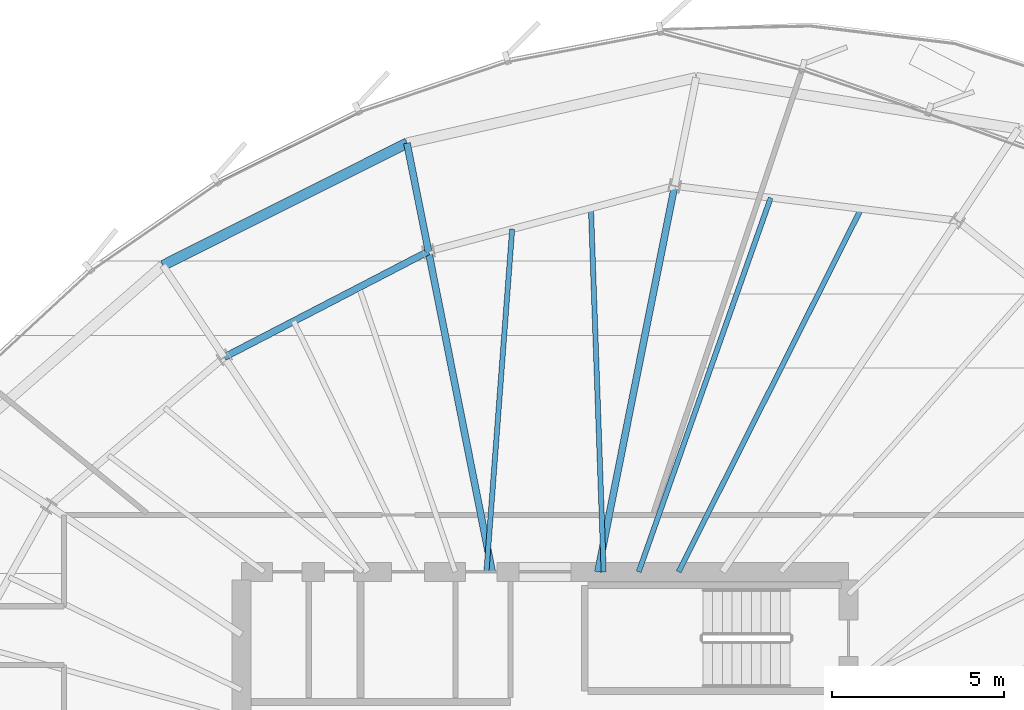
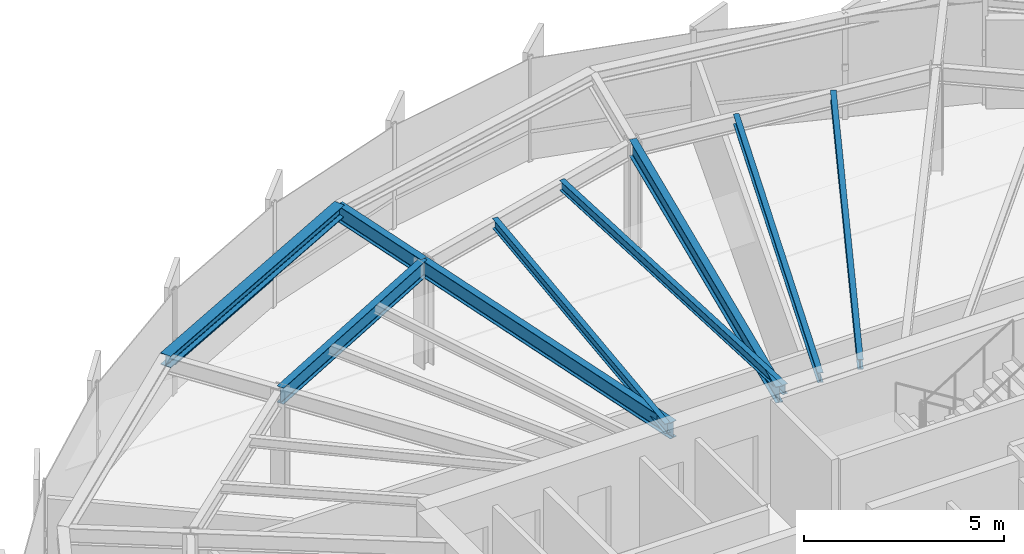
# One storey, part 22 of 34: 9 beams, 1 member, 1 element without a shape of its own.
"""IFC4 building model written with IfcOpenShell, lengths in metres."""

import ifcopenshell
import ifcopenshell.guid

model = None  # the IFC model being written
_history = None  # IfcOwnerHistory: only IFC2X3 demands one
_inside = {}  # id of a spatial element -> (the spatial element, [elements in it])
_under = {}  # id of a project, library or spatial element -> (it, [spatial elements below it])
_declared = {}  # id of a project -> (the project, [libraries it declares])
_typed = {}  # id of a type object -> (the type object, [elements of that type])
_made_of = {}  # id of a material, layer set ... -> (it, [elements and type objects made of it])


def new_model(schema):
    """Start an empty IFC model of exactly this schema.

    Asked for "IFC4X3", IfcOpenShell would pick the latest addendum, in which some entities
    have other attributes; the version numbers below select the first issue.
    IFC2X3 requires an IfcOwnerHistory on every rooted entity: one is made here for all.
    """
    global model, _history
    if schema == "IFC4X3":
        model = ifcopenshell.file(schema_version=(4, 3, 0, 0))
    else:
        model = ifcopenshell.file(schema=schema)
    _inside.clear()
    _under.clear()
    _declared.clear()
    _typed.clear()
    _made_of.clear()
    _history = None
    if model.schema == "IFC2X3":
        org = make("IfcOrganization", Name="unknown")
        user = make(
            "IfcPersonAndOrganization",
            ThePerson=make("IfcPerson", FamilyName="unknown"),
            TheOrganization=org,
        )
        app = make(
            "IfcApplication",
            ApplicationDeveloper=org,
            Version="unknown",
            ApplicationFullName="unknown",
            ApplicationIdentifier="unknown",
        )
        _history = make(
            "IfcOwnerHistory",
            OwningUser=user,
            OwningApplication=app,
            ChangeAction="ADDED",
            CreationDate=0,
        )
    return model


def make(cls, **values):
    """One entity of the class cls with the attributes given. An attribute that is None is left unset."""
    return model.create_entity(
        cls, **{name: value for name, value in values.items() if value is not None}
    )


def rooted(cls, **values):
    """An entity with a GlobalId (a new one), such as an element, a storey or a relation."""
    return make(cls, GlobalId=ifcopenshell.guid.new(), OwnerHistory=_history, **values)


def si_unit(unit_type, name, prefix=None):
    """IfcSIUnit, for example si_unit("LENGTHUNIT", "METRE", prefix="MILLI")."""
    return make("IfcSIUnit", UnitType=unit_type, Prefix=prefix, Name=name)


def assignment(units):
    """IfcUnitAssignment: the units of a project."""
    return None if units is None else make("IfcUnitAssignment", Units=units)


def point(xyz):
    """IfcCartesianPoint."""
    return None if xyz is None else make("IfcCartesianPoint", Coordinates=xyz)


def direction(xyz):
    """IfcDirection."""
    return None if xyz is None else make("IfcDirection", DirectionRatios=xyz)


def frame(location, z_axis=None, x_axis=None):
    """IfcAxis2Placement3D, a coordinate frame: its origin and axes. An axis left out is left unset."""
    return make(
        "IfcAxis2Placement3D",
        Location=point(location),
        Axis=direction(z_axis),
        RefDirection=direction(x_axis),
    )


def frame_2d(location, x_axis=None):
    """IfcAxis2Placement2D, a coordinate frame in the plane: its origin and x axis."""
    return make(
        "IfcAxis2Placement2D", Location=point(location), RefDirection=direction(x_axis)
    )


def origin():
    """The frame at (0, 0, 0) with its axes left unset."""
    return frame((0.0, 0.0, 0.0))


def origin_2d():
    """The frame at (0, 0) in the plane with its x axis left unset."""
    return frame_2d((0.0, 0.0))


def place(relative_to, where):
    """IfcLocalPlacement: puts the frame where relative to a parent placement (None: the world)."""
    return make(
        "IfcLocalPlacement", PlacementRelTo=relative_to, RelativePlacement=where
    )


def context(
    kind, dimensions, precision=None, world=None, true_north=None, identifier=None
):
    """IfcGeometricRepresentationContext, for example the 3D "Model" context."""
    return make(
        "IfcGeometricRepresentationContext",
        ContextIdentifier=identifier,
        ContextType=kind,
        CoordinateSpaceDimension=dimensions,
        Precision=precision,
        WorldCoordinateSystem=world,
        TrueNorth=true_north,
    )


def subcontext(parent, identifier, kind, view, scale=None):
    """IfcGeometricRepresentationSubContext, for example "Body" below "Model"."""
    return make(
        "IfcGeometricRepresentationSubContext",
        ContextIdentifier=identifier,
        ContextType=kind,
        ParentContext=parent,
        TargetScale=scale,
        TargetView=view,
    )


def project(units=None, contexts=None):
    """IfcProject with its units and contexts."""
    return rooted(
        "IfcProject",
        Name="project",
        RepresentationContexts=contexts,
        UnitsInContext=assignment(units),
    )


def spatial(cls, under=None, at=None, **own):
    """A site, building, storey or space (cls), placed at a placement, below another one or the project."""
    s = rooted(cls, ObjectPlacement=at, **own)
    if under is not None:
        _under.setdefault(under.id(), (under, []))[1].append(s)
    return s


def profile(cls, at=None, kind="AREA", **sizes):
    """A parametric profile (cls). Its sizes go by their IFC names, for example OverallWidth=200.0."""
    return make(cls, ProfileType=kind, Position=at, **sizes)


def hollow_rectangle(**sizes):
    """IfcRectangleHollowProfileDef."""
    return profile("IfcRectangleHollowProfileDef", **sizes)


def i_section(**sizes):
    """IfcIShapeProfileDef."""
    return profile("IfcIShapeProfileDef", **sizes)


def extrude(swept, where, along, depth):
    """IfcExtrudedAreaSolid: the profile swept, set in the frame where, extruded along a direction by depth."""
    return make(
        "IfcExtrudedAreaSolid",
        SweptArea=swept,
        Position=where,
        ExtrudedDirection=direction(along),
        Depth=depth,
    )


def shape(context_of_items, identifier, shape_type, items):
    """IfcShapeRepresentation: the items that make up one representation, for example the "Body"."""
    return make(
        "IfcShapeRepresentation",
        ContextOfItems=context_of_items,
        RepresentationIdentifier=identifier,
        RepresentationType=shape_type,
        Items=items,
    )


def source(mapping_origin, context_of_items, identifier, shape_type, items):
    """IfcRepresentationMap: a shape defined once, which mapped items show again and again."""
    return make(
        "IfcRepresentationMap",
        MappingOrigin=mapping_origin,
        MappedRepresentation=shape(context_of_items, identifier, shape_type, items),
    )


def transform(
    local_origin,
    x_axis=None,
    y_axis=None,
    z_axis=None,
    scale=None,
    scale2=None,
    scale3=None,
    uniform=True,
):
    """IfcCartesianTransformationOperator3D, or its non-uniform kind. x_axis, y_axis, z_axis: its Axis1, 2, 3."""
    if uniform:
        return make(
            "IfcCartesianTransformationOperator3D",
            Axis1=direction(x_axis),
            Axis2=direction(y_axis),
            LocalOrigin=point(local_origin),
            Scale=scale,
            Axis3=direction(z_axis),
        )
    return make(
        "IfcCartesianTransformationOperator3DnonUniform",
        Axis1=direction(x_axis),
        Axis2=direction(y_axis),
        LocalOrigin=point(local_origin),
        Scale=scale,
        Axis3=direction(z_axis),
        Scale2=scale2,
        Scale3=scale3,
    )


def mapped(mapping_source, mapping_target):
    """IfcMappedItem: shows the shape of a source again, moved by a transform."""
    return make(
        "IfcMappedItem", MappingSource=mapping_source, MappingTarget=mapping_target
    )


def material(Name=None, Category=None):
    """IfcMaterial."""
    return make("IfcMaterial", Name=Name, Category=Category)


def layer(
    of_material, thickness, ventilated=None, Name=None, Category=None, Priority=None
):
    """IfcMaterialLayer: one layer of a wall or slab, of a material (None: an air gap)."""
    return make(
        "IfcMaterialLayer",
        Material=of_material,
        LayerThickness=thickness,
        IsVentilated=ventilated,
        Name=Name,
        Category=Category,
        Priority=Priority,
    )


def layer_set(layers, Name=None):
    """IfcMaterialLayerSet."""
    return make("IfcMaterialLayerSet", MaterialLayers=layers, LayerSetName=Name)


def material_profile(
    of_material, cross_section, Name=None, Category=None, Priority=None
):
    """IfcMaterialProfile: a cross section and its material."""
    return make(
        "IfcMaterialProfile",
        Name=Name,
        Material=of_material,
        Profile=cross_section,
        Priority=Priority,
        Category=Category,
    )


def profile_set(profiles, Name=None, composite=None):
    """IfcMaterialProfileSet."""
    return make(
        "IfcMaterialProfileSet",
        Name=Name,
        MaterialProfiles=profiles,
        CompositeProfile=composite,
    )


def made_of(thing, what):
    """Note that an element or type object is made of a material, layer set ...; save() writes the relation."""
    if what is not None:
        _made_of.setdefault(what.id(), (what, []))[1].append(thing)
    return thing


def type_object(cls, material=None, **own):
    """A type object (cls), such as IfcWallType, which elements share."""
    return made_of(rooted(cls, **own), material)


def element(
    cls,
    number,
    at=None,
    inside=None,
    cuts=None,
    type_object=None,
    material=None,
    context=None,
    identifier="Body",
    shape_type=None,
    held_by="IfcProductDefinitionShape",
    body=None,
    shapes=None,
    **own,
):
    """One element of the class cls, such as IfcWall. Its Tag is "e" and its number.

    at: its placement. inside: the storey or other place that contains it. cuts: it is an
    opening in that element (IfcRelVoidsElement). A single representation is given by context,
    identifier, shape_type and body (its items); several are given by shapes. held_by: the class
    of the entity that holds the representations. save() writes the other relations.
    """
    e = rooted(cls, Tag="e%d" % number, ObjectPlacement=at, **own)
    if body is not None:
        shapes = [shape(context, identifier, shape_type, body)]
    if shapes is not None:
        e.Representation = make(held_by, Representations=shapes)
    if inside is not None:
        _inside.setdefault(inside.id(), (inside, []))[1].append(e)
    if cuts is not None:
        rooted(
            "IfcRelVoidsElement", RelatingBuildingElement=cuts, RelatedOpeningElement=e
        )
    if type_object is not None:
        _typed.setdefault(type_object.id(), (type_object, []))[1].append(e)
    return made_of(e, material)


def aggregate(whole, parts):
    """IfcRelAggregates: a whole, such as a stair, and the parts it consists of."""
    return rooted("IfcRelAggregates", RelatingObject=whole, RelatedObjects=parts)


def save(model, path):
    """Write the relations noted so far, then the file.

    IfcRelAggregates (storeys below a building ...), IfcRelContainedInSpatialStructure (elements
    in a storey), IfcRelDefinesByType, IfcRelAssociatesMaterial and IfcRelDeclares: one each for
    every whole, place, type object, material and project.
    """
    for whole, parts in _under.values():
        aggregate(whole, parts)
    for where, things in _inside.values():
        rooted(
            "IfcRelContainedInSpatialStructure",
            RelatedElements=things,
            RelatingStructure=where,
        )
    for kind, things in _typed.values():
        rooted("IfcRelDefinesByType", RelatedObjects=things, RelatingType=kind)
    for what, things in _made_of.values():
        rooted("IfcRelAssociatesMaterial", RelatedObjects=things, RelatingMaterial=what)
    for by, libraries in _declared.values():
        rooted("IfcRelDeclares", RelatingContext=by, RelatedDefinitions=libraries)
    model.write(path)


model = new_model("IFC4")

# Units and contexts
model_context = context("Model", 3, precision=1e-05, world=origin(), true_north=direction((0.0, 1.0)))
body_context = subcontext(model_context, "Body", "Model", "MODEL_VIEW")
ifc_project = project(units=[si_unit("LENGTHUNIT", "METRE"), si_unit("AREAUNIT", "SQUARE_METRE"), si_unit("VOLUMEUNIT", "CUBIC_METRE"), si_unit("PLANEANGLEUNIT", "RADIAN"), si_unit("MASSUNIT", "GRAM", prefix="KILO"), si_unit("THERMODYNAMICTEMPERATUREUNIT", "KELVIN")], contexts=[model_context])

# Site, building, storey
site_placement = place(None, origin())
site = spatial("IfcSite", under=ifc_project, at=site_placement, CompositionType="ELEMENT")
building_placement = place(site_placement, origin())
building = spatial("IfcBuilding", under=site, at=building_placement, Name="Kethvar Cultural Tower", CompositionType="ELEMENT")
storey_placement = place(building_placement, frame((0.0, 0.0, 190.39990234375)))
storey = spatial("IfcBuildingStorey", under=building, at=storey_placement, Name="L49", CompositionType="ELEMENT", Elevation=190.39990234375)

# Beams
ifc_material_1 = material(Name="Steel S355J2", Category="steel")
ifc_material_profile_1 = material_profile(ifc_material_1, i_section(OverallWidth=0.199951171875, OverallDepth=0.5, WebThickness=0.01025390625, FlangeThickness=0.01611328125, FilletRadius=0.02099609375, at=origin_2d()), Name="Steel S355J2 — IPE500")
ifc_profile_set_1 = profile_set([ifc_material_profile_1], Name="Steel S355J2 — IPE500")
beam_type_1 = type_object("IfcBeamType", Name="BM-IPE500", PredefinedType="BEAM", material=ifc_profile_set_1)
shared_shape_1 = source(origin(), body_context, "Body", "SweptSolid", [
    extrude(i_section(OverallWidth=0.199951171875, OverallDepth=0.5, WebThickness=0.01025390625, FlangeThickness=0.01611328125, FilletRadius=0.02099609375, at=origin_2d()), origin(), (0.0, 0.0, 1.0), 3.199951171875),
])
beam_1_placement = place(storey_placement, frame((43.420654296875, 44.789306640625, 3.008056640625), z_axis=(-0.195088965533, 0.980785550224, 0.0), x_axis=(-0.980785550224, -0.195088965533, 0.0)))
element("IfcBeam", 1, at=beam_1_placement, inside=storey, type_object=beam_type_1, Name="L49 Perimeter Cantilever Beam RC-05", PredefinedType="BEAM", context=body_context, shape_type="MappedRepresentation", body=[
    mapped(shared_shape_1, transform((0.0, 0.0, 0.0), scale=1.0)),
])
shared_shape_2 = source(origin(), body_context, "Body", "SweptSolid", [
    extrude(i_section(OverallWidth=0.199951171875, OverallDepth=0.5, WebThickness=0.01025390625, FlangeThickness=0.01611328125, FilletRadius=0.02099609375, at=origin_2d()), origin(), (0.0, 0.0, 1.0), 11.40673828125),
])
beam_2_placement = place(storey_placement, frame((48.33154296875, 35.5, 3.008056640625), z_axis=(0.195091138918, 0.980785117911, 0.0), x_axis=(-0.980785117911, 0.195091138918, 0.0)))
element("IfcBeam", 2, at=beam_2_placement, inside=storey, type_object=beam_type_1, Name="L49 Primary Radial Beam RB-04", PredefinedType="BEAM", context=body_context, shape_type="MappedRepresentation", body=[
    mapped(shared_shape_2, transform((0.0, 0.0, 0.0), scale=1.0)),
])
shared_shape_3 = source(origin(), body_context, "Body", "SweptSolid", [
    extrude(i_section(OverallWidth=0.199951171875, OverallDepth=0.5, WebThickness=0.01025390625, FlangeThickness=0.01611328125, FilletRadius=0.02099609375, at=origin_2d()), origin(), (0.0, 0.0, 1.0), 9.47119140625),
])
beam_3_placement = place(storey_placement, frame((45.268310546875, 35.5, 3.008056640625), z_axis=(-0.195079990396, 0.980787335434, 0.0), x_axis=(-0.980787335434, -0.195079990396, 0.0)))
element("IfcBeam", 3, at=beam_3_placement, inside=storey, type_object=beam_type_1, Name="L49 Primary Radial Beam RB-05", PredefinedType="BEAM", context=body_context, shape_type="MappedRepresentation", body=[
    mapped(shared_shape_3, transform((0.0, 0.0, 0.0), scale=1.0)),
])
ifc_material_profile_2 = material_profile(ifc_material_1, i_section(OverallWidth=0.14990234375, OverallDepth=0.300048828125, WebThickness=0.007080078125, FlangeThickness=0.0107421875, FilletRadius=0.014892578125, at=origin_2d()), Name="Steel S355J2 — IPE300")
ifc_profile_set_2 = profile_set([ifc_material_profile_2], Name="Steel S355J2 — IPE300")
beam_type_2 = type_object("IfcBeamType", Name="BM-J300", PredefinedType="JOIST", material=ifc_profile_set_2)
shared_shape_4 = source(origin(), body_context, "Body", "SweptSolid", [
    extrude(i_section(OverallWidth=0.14990234375, OverallDepth=0.300048828125, WebThickness=0.007080078125, FlangeThickness=0.0107421875, FilletRadius=0.014892578125, at=origin_2d()), origin(), (0.0, 0.0, 1.0), 11.77880859375),
])
beam_4_placement = place(storey_placement, frame((50.671630859375, 35.5, 3.108154296875), z_axis=(0.449218855458, 0.893421748057, 0.0), x_axis=(-0.893421748057, 0.449218855458, 0.0)))
element("IfcBeam", 4, at=beam_4_placement, inside=storey, type_object=beam_type_2, Name="L49 Composite Floor Joist J-03A", PredefinedType="JOIST", context=body_context, shape_type="MappedRepresentation", body=[
    mapped(shared_shape_4, transform((0.0, 0.0, 0.0), scale=1.0)),
])
shared_shape_5 = source(origin(), body_context, "Body", "SweptSolid", [
    extrude(i_section(OverallWidth=0.14990234375, OverallDepth=0.300048828125, WebThickness=0.007080078125, FlangeThickness=0.0107421875, FilletRadius=0.014892578125, at=origin_2d()), origin(), (0.0, 0.0, 1.0), 11.50048828125),
])
beam_5_placement = place(storey_placement, frame((49.51611328125, 35.5, 3.108154296875), z_axis=(0.332655768875, 0.943048322958, 0.0), x_axis=(-0.943048322958, 0.332655768875, 0.0)))
element("IfcBeam", 5, at=beam_5_placement, inside=storey, type_object=beam_type_2, Name="L49 Composite Floor Joist J-03B", PredefinedType="JOIST", context=body_context, shape_type="MappedRepresentation", body=[
    mapped(shared_shape_5, transform((0.0, 0.0, 0.0), scale=1.0)),
])
shared_shape_6 = source(origin(), body_context, "Body", "SweptSolid", [
    extrude(i_section(OverallWidth=0.14990234375, OverallDepth=0.300048828125, WebThickness=0.007080078125, FlangeThickness=0.0107421875, FilletRadius=0.014892578125, at=origin_2d()), origin(), (0.0, 0.0, 1.0), 10.54833984375),
])
beam_6_placement = place(storey_placement, frame((48.5, 35.5, 3.108154296875), z_axis=(-0.035017879941, 0.999386685965, 0.0), x_axis=(-0.999386685965, -0.035017879941, 0.0)))
element("IfcBeam", 6, at=beam_6_placement, inside=storey, type_object=beam_type_2, Name="L49 Composite Floor Joist J-04A", PredefinedType="JOIST", context=body_context, shape_type="MappedRepresentation", body=[
    mapped(shared_shape_6, transform((0.0, 0.0, 0.0), scale=1.0)),
])
shared_shape_7 = source(origin(), body_context, "Body", "SweptSolid", [
    extrude(i_section(OverallWidth=0.14990234375, OverallDepth=0.300048828125, WebThickness=0.007080078125, FlangeThickness=0.0107421875, FilletRadius=0.014892578125, at=origin_2d()), origin(), (0.0, 0.0, 1.0), 9.962646484375),
])
beam_7_placement = place(storey_placement, frame((45.10009765625, 35.5, 3.108154296875), z_axis=(0.074962964429, 0.99718631858, 0.0), x_axis=(-0.99718631858, 0.074962964429, 0.0)))
element("IfcBeam", 7, at=beam_7_placement, inside=storey, type_object=beam_type_2, Name="L49 Composite Floor Joist J-04B", PredefinedType="JOIST", context=body_context, shape_type="MappedRepresentation", body=[
    mapped(shared_shape_7, transform((0.0, 0.0, 0.0), scale=1.0)),
])
shared_shape_8 = source(origin(), body_context, "Body", "SweptSolid", [
    extrude(i_section(OverallWidth=0.199951171875, OverallDepth=0.5, WebThickness=0.01025390625, FlangeThickness=0.01611328125, FilletRadius=0.02099609375, at=origin_2d()), origin(), (0.0, 0.0, 1.0), 6.669921875),
])
beam_8_placement = place(storey_placement, frame((43.420654296875, 44.789306640625, 3.008056640625), z_axis=(-0.887861983948, -0.460109875421, 0.0), x_axis=(0.460109875421, -0.887861983948, 0.0)))
element("IfcBeam", 8, at=beam_8_placement, inside=storey, type_object=beam_type_1, Name="L49 Column Ring Tie Beam CR-05", PredefinedType="BEAM", context=body_context, shape_type="MappedRepresentation", body=[
    mapped(shared_shape_8, transform((0.0, 0.0, 0.0), scale=1.0)),
])
ifc_material_profile_3 = material_profile(ifc_material_1, i_section(OverallWidth=0.300048828125, OverallDepth=0.360107421875, WebThickness=0.012451171875, FlangeThickness=0.0224609375, FilletRadius=0.027099609375, at=origin_2d()), Name="Steel S355J2 — HEB360")
ifc_profile_set_3 = profile_set([ifc_material_profile_3], Name="Steel S355J2 — HEB360")
beam_type_3 = type_object("IfcBeamType", Name="BM-SP360", PredefinedType="SPANDREL", material=ifc_profile_set_3)
shared_shape_9 = source(origin(), body_context, "Body", "SweptSolid", [
    extrude(i_section(OverallWidth=0.300048828125, OverallDepth=0.360107421875, WebThickness=0.012451171875, FlangeThickness=0.0224609375, FilletRadius=0.027099609375, at=origin_2d()), origin(), (0.0, 0.0, 1.0), 7.91455078125),
])
beam_9_placement = place(storey_placement, frame((42.79638671875, 47.927734375, 3.078125), z_axis=(-0.893976371529, -0.44811410059, 0.0), x_axis=(0.44811410059, -0.893976371529, 0.0)))
element("IfcBeam", 9, at=beam_9_placement, inside=storey, type_object=beam_type_3, Name="L49 Perimeter Spandrel Beam SP-05", PredefinedType="SPANDREL", context=body_context, shape_type="MappedRepresentation", body=[
    mapped(shared_shape_9, transform((0.0, 0.0, 0.0), scale=1.0)),
])

# Curtain wall, member
ifc_material_2 = material(Name="Aluminium 6063-T6", Category="aluminium")
ifc_layer = layer(ifc_material_2, 0.179931640625, Name="Aluminium 6063-T6", Category="aluminium")
ifc_layer_set = layer_set([ifc_layer], Name="Aluminium 6063-T6 (180 mm)")
curtain_wall_type = type_object("IfcCurtainWallType", Name="CW-SYS-04-Z34", PredefinedType="NOTDEFINED", material=ifc_layer_set)
curtain_wall_placement = place(storey_placement, origin())
curtain_wall = element("IfcCurtainWall", 10, at=curtain_wall_placement, inside=storey, type_object=curtain_wall_type, Name="L49 Curtain Wall Run 02", PredefinedType="NOTDEFINED")
ifc_material_profile_4 = material_profile(ifc_material_2, hollow_rectangle(XDim=0.050048828125, YDim=0.10009765625, WallThickness=0.00390625, at=origin_2d()), Name="Aluminium 6063-T6 — RHS100x50x4")
ifc_profile_set_4 = profile_set([ifc_material_profile_4], Name="Aluminium 6063-T6 — RHS100x50x4")
member_type = type_object("IfcMemberType", Name="CW-SYS-04-Z34-TRN", PredefinedType="USERDEFINED", material=ifc_profile_set_4)
shared_shape_10 = source(origin(), body_context, "Body", "SweptSolid", [
    extrude(hollow_rectangle(XDim=0.050048828125, YDim=0.10009765625, WallThickness=0.00390625, at=origin_2d()), origin(), (0.0, 0.0, 1.0), 4.471923828125),
])
member_placement = place(storey_placement, frame((41.375732421875, 48.80322265625, 0.9501953125), z_axis=(-0.8940665881, -0.447934075555, 0.0), x_axis=(0.447934075555, -0.8940665881, 0.0)))
member = element("IfcMember", 11, at=member_placement, type_object=member_type, Name="CW-L49-R02 Transom 6", ObjectType="TRANSOM", PredefinedType="USERDEFINED", context=body_context, shape_type="MappedRepresentation", body=[
    mapped(shared_shape_10, transform((0.0, 0.0, 0.0), scale=1.0)),
])
aggregate(curtain_wall, [member])

save(model, "model.ifc")
